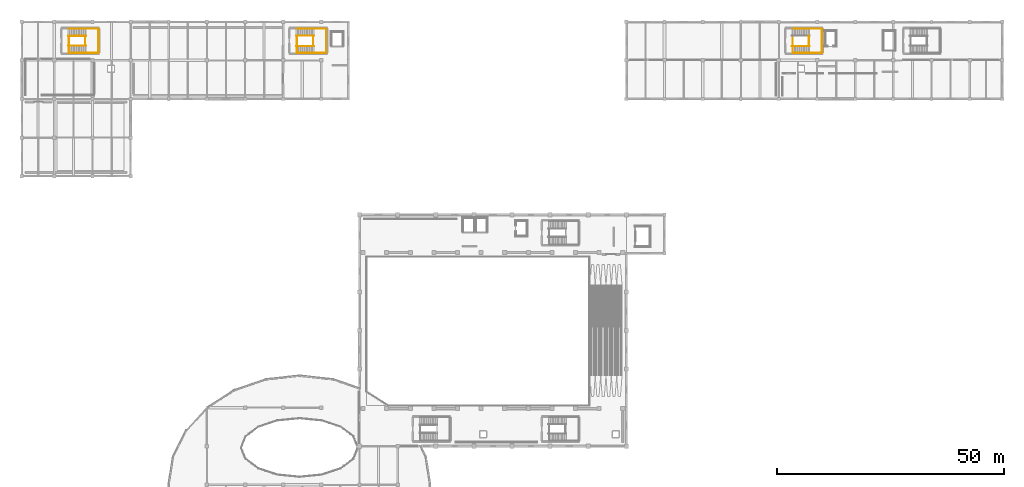
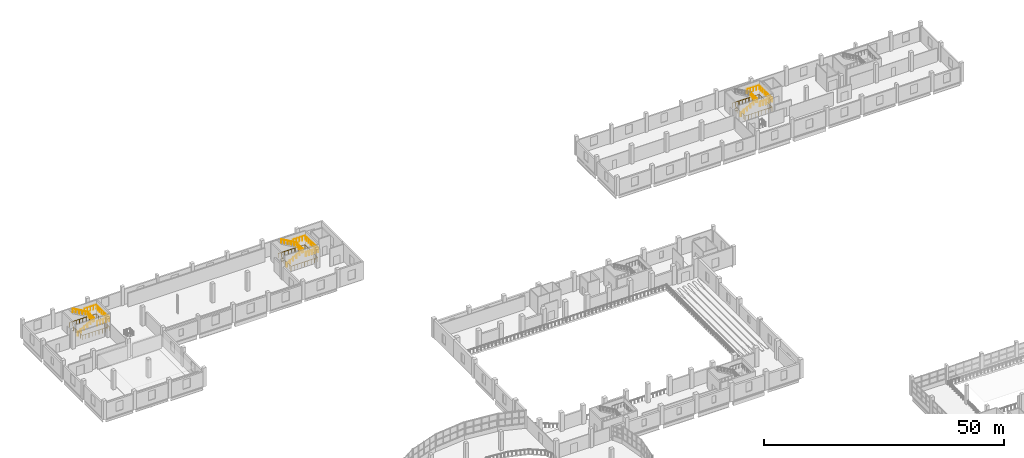
# One storey, part 76 of 77: 14 railings.
"""IFC4 building model written with IfcOpenShell, lengths in metres."""

from ifc_helpers import new_model, si_unit, direction, frame, origin, origin_2d, place, context, subcontext, project, spatial, circle, extrude, material, type_object, element, save


model = new_model("IFC4")

# Units and contexts
model_context = context("Model", 3, precision=1e-05, world=origin(), true_north=direction((0.0, 1.0)))
body_context = subcontext(model_context, "Body", "Model", "MODEL_VIEW")
ifc_project = project(units=[si_unit("LENGTHUNIT", "METRE"), si_unit("AREAUNIT", "SQUARE_METRE"), si_unit("VOLUMEUNIT", "CUBIC_METRE"), si_unit("PLANEANGLEUNIT", "RADIAN"), si_unit("MASSUNIT", "GRAM", prefix="KILO")], contexts=[model_context])

# Site, building, storey
site_placement = place(None, origin())
site = spatial("IfcSite", under=ifc_project, at=site_placement, CompositionType="ELEMENT")
building_placement = place(site_placement, origin())
building = spatial("IfcBuilding", under=site, at=building_placement, Name="Solvento Point Concert Hall", CompositionType="ELEMENT")
storey_placement = place(building_placement, frame((0.0, 0.0, 10.199951171875)))
storey = spatial("IfcBuildingStorey", under=building, at=storey_placement, Name="L02", CompositionType="ELEMENT", Elevation=10.199951171875)

# Railings
ifc_material_1 = material(Name="Brushed Stainless Steel Balustrade", Category="steel")
railing_type_1 = type_object("IfcRailingType", Name="StairHandrail_915", PredefinedType="HANDRAIL", material=ifc_material_1)
for number, where, name in (
    (1, (169.64990234375, 130.64990234375, 0.16015625), "Stair handrail HR-01 ST-01 L02 F1"),
    (2, (60.449951171875, 130.64990234375, 0.16015625), "Stair handrail HR-01 ST-04 L02 F1"),
):
    element("IfcRailing", number, at=place(storey_placement, frame(where)), inside=storey, type_object=railing_type_1, Name=name, PredefinedType="HANDRAIL", context=body_context, shape_type="SweptSolid", body=[
        extrude(circle(Radius=0.0224609375, at=origin_2d()), frame((0.0, 0.0, 0.892578125), z_axis=(0.86825312469, 0.0, 0.496121468458), x_axis=(0.0, 1.0, 0.0)), (0.0, 0.0, 1.0), 4.514892578125),
        extrude(circle(Radius=0.01904296875, at=origin_2d()), origin(), (0.0, 0.0, 1.0), 0.8701171875),
        extrude(circle(Radius=0.01904296875, at=origin_2d()), frame((0.783935546875, 0.0, 0.447998046875)), (0.0, 0.0, 1.0), 0.8701171875),
        extrude(circle(Radius=0.01904296875, at=origin_2d()), frame((1.568115234375, 0.0, 0.89599609375)), (0.0, 0.0, 1.0), 0.8701171875),
        extrude(circle(Radius=0.01904296875, at=origin_2d()), frame((2.35205078125, 0.0, 1.343994140625)), (0.0, 0.0, 1.0), 0.8701171875),
        extrude(circle(Radius=0.01904296875, at=origin_2d()), frame((3.13623046875, 0.0, 1.7919921875)), (0.0, 0.0, 1.0), 0.8701171875),
        extrude(circle(Radius=0.01904296875, at=origin_2d()), frame((3.920166015625, 0.0, 2.239990234375)), (0.0, 0.0, 1.0), 0.8701171875),
    ])
railing_1_placement = place(storey_placement, frame((64.3701171875, 132.949951171875, 2.56005859375)))
element("IfcRailing", 3, at=railing_1_placement, inside=storey, type_object=railing_type_1, Name="Stair handrail HR-01 ST-04 L02 F2", PredefinedType="HANDRAIL", context=body_context, shape_type="SweptSolid", body=[
    extrude(circle(Radius=0.0224609375, at=origin_2d()), frame((0.0, 0.0, 0.892578125), z_axis=(-0.86825312469, 0.0, 0.496121468458), x_axis=(0.0, -1.0, 0.0)), (0.0, 0.0, 1.0), 4.514892578125),
    extrude(circle(Radius=0.01904296875, at=origin_2d()), origin(), (0.0, 0.0, 1.0), 0.8701171875),
    extrude(circle(Radius=0.01904296875, at=origin_2d()), frame((-0.783935546875, 0.0, 0.447998046875)), (0.0, 0.0, 1.0), 0.8701171875),
    extrude(circle(Radius=0.01904296875, at=origin_2d()), frame((-1.568115234375, 0.0, 0.89599609375)), (0.0, 0.0, 1.0), 0.8701171875),
    extrude(circle(Radius=0.01904296875, at=origin_2d()), frame((-2.35205078125, 0.0, 1.343994140625)), (0.0, 0.0, 1.0), 0.8701171875),
    extrude(circle(Radius=0.01904296875, at=origin_2d()), frame((-3.13623046875, 0.0, 1.7919921875)), (0.0, 0.0, 1.0), 0.8701171875),
    extrude(circle(Radius=0.01904296875, at=origin_2d()), frame((-3.920166015625, 0.0, 2.239990234375)), (0.0, 0.0, 1.0), 0.8701171875),
])
railing_2_placement = place(storey_placement, frame((10.25, 130.72998046875, 0.16015625)))
element("IfcRailing", 4, at=railing_2_placement, inside=storey, type_object=railing_type_1, Name="Stair handrail HR-01 ST-05 L02 F1", PredefinedType="HANDRAIL", context=body_context, shape_type="SweptSolid", body=[
    extrude(circle(Radius=0.0224609375, at=origin_2d()), frame((0.0, 0.0, 0.892578125), z_axis=(0.868239814368, 0.0, 0.496144761885), x_axis=(0.0, 1.0, 0.0)), (0.0, 0.0, 1.0), 4.514892578125),
    extrude(circle(Radius=0.01904296875, at=origin_2d()), origin(), (0.0, 0.0, 1.0), 0.8701171875),
    extrude(circle(Radius=0.01904296875, at=origin_2d()), frame((0.783935546875, 0.0, 0.447998046875)), (0.0, 0.0, 1.0), 0.8701171875),
    extrude(circle(Radius=0.01904296875, at=origin_2d()), frame((1.56787109375, 0.0, 0.89599609375)), (0.0, 0.0, 1.0), 0.8701171875),
    extrude(circle(Radius=0.01904296875, at=origin_2d()), frame((2.35205078125, 0.0, 1.343994140625)), (0.0, 0.0, 1.0), 0.8701171875),
    extrude(circle(Radius=0.01904296875, at=origin_2d()), frame((3.135986328125, 0.0, 1.7919921875)), (0.0, 0.0, 1.0), 0.8701171875),
    extrude(circle(Radius=0.01904296875, at=origin_2d()), frame((3.919921875, 0.0, 2.239990234375)), (0.0, 0.0, 1.0), 0.8701171875),
])
railing_3_placement = place(storey_placement, frame((14.169921875, 132.8701171875, 2.56005859375)))
element("IfcRailing", 5, at=railing_3_placement, inside=storey, type_object=railing_type_1, Name="Stair handrail HR-01 ST-05 L02 F2", PredefinedType="HANDRAIL", context=body_context, shape_type="SweptSolid", body=[
    extrude(circle(Radius=0.0224609375, at=origin_2d()), frame((0.0, 0.0, 0.892578125), z_axis=(-0.868239814368, 0.0, 0.496144761885), x_axis=(0.0, -1.0, 0.0)), (0.0, 0.0, 1.0), 4.514892578125),
    extrude(circle(Radius=0.01904296875, at=origin_2d()), origin(), (0.0, 0.0, 1.0), 0.8701171875),
    extrude(circle(Radius=0.01904296875, at=origin_2d()), frame((-0.783935546875, 0.0, 0.447998046875)), (0.0, 0.0, 1.0), 0.8701171875),
    extrude(circle(Radius=0.01904296875, at=origin_2d()), frame((-1.56787109375, 0.0, 0.89599609375)), (0.0, 0.0, 1.0), 0.8701171875),
    extrude(circle(Radius=0.01904296875, at=origin_2d()), frame((-2.35205078125, 0.0, 1.343994140625)), (0.0, 0.0, 1.0), 0.8701171875),
    extrude(circle(Radius=0.01904296875, at=origin_2d()), frame((-3.135986328125, 0.0, 1.7919921875)), (0.0, 0.0, 1.0), 0.8701171875),
    extrude(circle(Radius=0.01904296875, at=origin_2d()), frame((-3.919921875, 0.0, 2.239990234375)), (0.0, 0.0, 1.0), 0.8701171875),
])
ifc_material_2 = material(Name="Brushed Stainless Steel Balustrade", Category="steel")
railing_type_2 = type_object("IfcRailingType", Name="StairWellGuard_1100", PredefinedType="BALUSTRADE", material=ifc_material_2)
railing_4_placement = place(storey_placement, frame((169.820068359375, 132.89990234375, 0.0)))
element("IfcRailing", 6, at=railing_4_placement, inside=storey, type_object=railing_type_2, Name="Stairwell guard GR-02 ST-01 L02", PredefinedType="BALUSTRADE", context=body_context, shape_type="SweptSolid", body=[
    extrude(circle(Radius=0.02392578125, at=origin_2d()), frame((0.0, 0.0, 1.09619140625), z_axis=(0.0, -1.0, 0.0), x_axis=(1.0, 0.0, 0.0)), (0.0, 0.0, 1.0), 3.77978515625),
    extrude(circle(Radius=0.02392578125, at=origin_2d()), frame((0.0, -3.77978515625, 1.09619140625), z_axis=(1.0, 0.0, 0.0), x_axis=(0.0, 1.0, 0.0)), (0.0, 0.0, 1.0), 6.4599609375),
    extrude(circle(Radius=0.02392578125, at=origin_2d()), frame((6.4599609375, -3.77978515625, 1.09619140625), z_axis=(0.0, 1.0, 0.0), x_axis=(-1.0, 0.0, 0.0)), (0.0, 0.0, 1.0), 5.35986328125),
    extrude(circle(Radius=0.02392578125, at=origin_2d()), frame((6.4599609375, 1.580078125, 1.09619140625), z_axis=(-1.0, 0.0, 0.0), x_axis=(0.0, -1.0, 0.0)), (0.0, 0.0, 1.0), 6.4599609375),
    extrude(circle(Radius=0.02392578125, at=origin_2d()), frame((0.0, 1.580078125, 1.09619140625), z_axis=(0.0, 1.0, 0.0), x_axis=(-1.0, 0.0, 0.0)), (0.0, 0.0, 1.0), 0.02001953125),
    extrude(circle(Radius=0.02099609375, at=origin_2d()), origin(), (0.0, 0.0, 1.0), 1.072021484375),
    extrude(circle(Radius=0.02099609375, at=origin_2d()), frame((0.0, -0.755859375, 0.0)), (0.0, 0.0, 1.0), 1.072021484375),
    extrude(circle(Radius=0.02099609375, at=origin_2d()), frame((0.0, -1.511962890625, 0.0)), (0.0, 0.0, 1.0), 1.072021484375),
    extrude(circle(Radius=0.02099609375, at=origin_2d()), frame((0.0, -2.267822265625, 0.0)), (0.0, 0.0, 1.0), 1.072021484375),
    extrude(circle(Radius=0.02099609375, at=origin_2d()), frame((0.0, -3.02392578125, 0.0)), (0.0, 0.0, 1.0), 1.072021484375),
    extrude(circle(Radius=0.02099609375, at=origin_2d()), frame((0.0, -3.77978515625, 0.0)), (0.0, 0.0, 1.0), 1.072021484375),
    extrude(circle(Radius=0.02099609375, at=origin_2d()), frame((0.8076171875, -3.77978515625, 0.0)), (0.0, 0.0, 1.0), 1.072021484375),
    extrude(circle(Radius=0.02099609375, at=origin_2d()), frame((1.614990234375, -3.77978515625, 0.0)), (0.0, 0.0, 1.0), 1.072021484375),
    extrude(circle(Radius=0.02099609375, at=origin_2d()), frame((2.42236328125, -3.77978515625, 0.0)), (0.0, 0.0, 1.0), 1.072021484375),
    extrude(circle(Radius=0.02099609375, at=origin_2d()), frame((3.22998046875, -3.77978515625, 0.0)), (0.0, 0.0, 1.0), 1.072021484375),
    extrude(circle(Radius=0.02099609375, at=origin_2d()), frame((4.03759765625, -3.77978515625, 0.0)), (0.0, 0.0, 1.0), 1.072021484375),
    extrude(circle(Radius=0.02099609375, at=origin_2d()), frame((4.844970703125, -3.77978515625, 0.0)), (0.0, 0.0, 1.0), 1.072021484375),
    extrude(circle(Radius=0.02099609375, at=origin_2d()), frame((5.65234375, -3.77978515625, 0.0)), (0.0, 0.0, 1.0), 1.072021484375),
    extrude(circle(Radius=0.02099609375, at=origin_2d()), frame((6.4599609375, -3.77978515625, 0.0)), (0.0, 0.0, 1.0), 1.072021484375),
    extrude(circle(Radius=0.02099609375, at=origin_2d()), frame((6.4599609375, -2.886474609375, 0.0)), (0.0, 0.0, 1.0), 1.072021484375),
    extrude(circle(Radius=0.02099609375, at=origin_2d()), frame((6.4599609375, -1.9931640625, 0.0)), (0.0, 0.0, 1.0), 1.072021484375),
    extrude(circle(Radius=0.02099609375, at=origin_2d()), frame((6.4599609375, -1.099853515625, 0.0)), (0.0, 0.0, 1.0), 1.072021484375),
    extrude(circle(Radius=0.02099609375, at=origin_2d()), frame((6.4599609375, -0.20654296875, 0.0)), (0.0, 0.0, 1.0), 1.072021484375),
    extrude(circle(Radius=0.02099609375, at=origin_2d()), frame((6.4599609375, 0.686767578125, 0.0)), (0.0, 0.0, 1.0), 1.072021484375),
    extrude(circle(Radius=0.02099609375, at=origin_2d()), frame((6.4599609375, 1.580078125, 0.0)), (0.0, 0.0, 1.0), 1.072021484375),
    extrude(circle(Radius=0.02099609375, at=origin_2d()), frame((5.65234375, 1.580078125, 0.0)), (0.0, 0.0, 1.0), 1.072021484375),
    extrude(circle(Radius=0.02099609375, at=origin_2d()), frame((4.844970703125, 1.580078125, 0.0)), (0.0, 0.0, 1.0), 1.072021484375),
    extrude(circle(Radius=0.02099609375, at=origin_2d()), frame((4.03759765625, 1.580078125, 0.0)), (0.0, 0.0, 1.0), 1.072021484375),
    extrude(circle(Radius=0.02099609375, at=origin_2d()), frame((3.22998046875, 1.580078125, 0.0)), (0.0, 0.0, 1.0), 1.072021484375),
    extrude(circle(Radius=0.02099609375, at=origin_2d()), frame((2.42236328125, 1.580078125, 0.0)), (0.0, 0.0, 1.0), 1.072021484375),
    extrude(circle(Radius=0.02099609375, at=origin_2d()), frame((1.614990234375, 1.580078125, 0.0)), (0.0, 0.0, 1.0), 1.072021484375),
    extrude(circle(Radius=0.02099609375, at=origin_2d()), frame((0.8076171875, 1.580078125, 0.0)), (0.0, 0.0, 1.0), 1.072021484375),
    extrude(circle(Radius=0.02099609375, at=origin_2d()), frame((0.0, 1.580078125, 0.0)), (0.0, 0.0, 1.0), 1.072021484375),
    extrude(circle(Radius=0.02099609375, at=origin_2d()), frame((0.0, 1.60009765625, 0.0)), (0.0, 0.0, 1.0), 1.072021484375),
])
railing_5_placement = place(storey_placement, frame((173.39990234375, 129.10009765625, 2.400146484375)))
element("IfcRailing", 7, at=railing_5_placement, inside=storey, type_object=railing_type_2, Name="Half-landing perimeter guard GR-02 ST-01 L02", PredefinedType="BALUSTRADE", context=body_context, shape_type="SweptSolid", body=[
    extrude(circle(Radius=0.02392578125, at=origin_2d()), frame((0.0, 0.0, 1.09619140625), z_axis=(0.999976175575, 0.006902773499, 0.0), x_axis=(-0.006902773499, 0.999976175575, 0.0)), (0.0, 0.0, 1.0), 2.900146484375),
    extrude(circle(Radius=0.02392578125, at=origin_2d()), frame((2.900146484375, 0.02001953125, 1.09619140625), z_axis=(0.0, 1.0, 0.0), x_axis=(-1.0, 0.0, 0.0)), (0.0, 0.0, 1.0), 5.35986328125),
    extrude(circle(Radius=0.02392578125, at=origin_2d()), frame((2.900146484375, 5.3798828125, 1.09619140625), z_axis=(-0.999976175575, 0.006902773499, 0.0), x_axis=(-0.006902773499, -0.999976175575, 0.0)), (0.0, 0.0, 1.0), 2.900146484375),
    extrude(circle(Radius=0.02099609375, at=origin_2d()), origin(), (0.0, 0.0, 1.0), 1.072021484375),
    extrude(circle(Radius=0.02099609375, at=origin_2d()), frame((0.72509765625, 0.0048828125, 0.0)), (0.0, 0.0, 1.0), 1.072021484375),
    extrude(circle(Radius=0.02099609375, at=origin_2d()), frame((1.4501953125, 0.010009765625, 0.0)), (0.0, 0.0, 1.0), 1.072021484375),
    extrude(circle(Radius=0.02099609375, at=origin_2d()), frame((2.175048828125, 0.01513671875, 0.0)), (0.0, 0.0, 1.0), 1.072021484375),
    extrude(circle(Radius=0.02099609375, at=origin_2d()), frame((2.900146484375, 0.02001953125, 0.0)), (0.0, 0.0, 1.0), 1.072021484375),
    extrude(circle(Radius=0.02099609375, at=origin_2d()), frame((2.900146484375, 0.78564453125, 0.0)), (0.0, 0.0, 1.0), 1.072021484375),
    extrude(circle(Radius=0.02099609375, at=origin_2d()), frame((2.900146484375, 1.551513671875, 0.0)), (0.0, 0.0, 1.0), 1.072021484375),
    extrude(circle(Radius=0.02099609375, at=origin_2d()), frame((2.900146484375, 2.317138671875, 0.0)), (0.0, 0.0, 1.0), 1.072021484375),
    extrude(circle(Radius=0.02099609375, at=origin_2d()), frame((2.900146484375, 3.082763671875, 0.0)), (0.0, 0.0, 1.0), 1.072021484375),
    extrude(circle(Radius=0.02099609375, at=origin_2d()), frame((2.900146484375, 3.848388671875, 0.0)), (0.0, 0.0, 1.0), 1.072021484375),
    extrude(circle(Radius=0.02099609375, at=origin_2d()), frame((2.900146484375, 4.6142578125, 0.0)), (0.0, 0.0, 1.0), 1.072021484375),
    extrude(circle(Radius=0.02099609375, at=origin_2d()), frame((2.900146484375, 5.3798828125, 0.0)), (0.0, 0.0, 1.0), 1.072021484375),
    extrude(circle(Radius=0.02099609375, at=origin_2d()), frame((2.175048828125, 5.384765625, 0.0)), (0.0, 0.0, 1.0), 1.072021484375),
    extrude(circle(Radius=0.02099609375, at=origin_2d()), frame((1.4501953125, 5.389892578125, 0.0)), (0.0, 0.0, 1.0), 1.072021484375),
    extrude(circle(Radius=0.02099609375, at=origin_2d()), frame((0.72509765625, 5.39501953125, 0.0)), (0.0, 0.0, 1.0), 1.072021484375),
    extrude(circle(Radius=0.02099609375, at=origin_2d()), frame((0.0, 5.39990234375, 0.0)), (0.0, 0.0, 1.0), 1.072021484375),
])
railing_6_placement = place(storey_placement, frame((173.39990234375, 130.699951171875, 2.400146484375)))
element("IfcRailing", 8, at=railing_6_placement, inside=storey, type_object=railing_type_2, Name="Half-landing slot guard GR-02 ST-01 L02", PredefinedType="BALUSTRADE", context=body_context, shape_type="SweptSolid", body=[
    extrude(circle(Radius=0.02392578125, at=origin_2d()), frame((0.0, 0.0, 1.09619140625), z_axis=(0.0, 1.0, 0.0), x_axis=(-1.0, 0.0, 0.0)), (0.0, 0.0, 1.0), 2.199951171875),
    extrude(circle(Radius=0.02099609375, at=origin_2d()), origin(), (0.0, 0.0, 1.0), 1.072021484375),
    extrude(circle(Radius=0.02099609375, at=origin_2d()), frame((0.0, 0.7333984375, 0.0)), (0.0, 0.0, 1.0), 1.072021484375),
    extrude(circle(Radius=0.02099609375, at=origin_2d()), frame((0.0, 1.466552734375, 0.0)), (0.0, 0.0, 1.0), 1.072021484375),
    extrude(circle(Radius=0.02099609375, at=origin_2d()), frame((0.0, 2.199951171875, 0.0)), (0.0, 0.0, 1.0), 1.072021484375),
])
railing_7_placement = place(storey_placement, frame((60.6201171875, 132.89990234375, 0.0)))
element("IfcRailing", 9, at=railing_7_placement, inside=storey, type_object=railing_type_2, Name="Stairwell guard GR-02 ST-04 L02", PredefinedType="BALUSTRADE", context=body_context, shape_type="SweptSolid", body=[
    extrude(circle(Radius=0.02392578125, at=origin_2d()), frame((0.0, 0.0, 1.09619140625), z_axis=(0.0, -1.0, 0.0), x_axis=(1.0, 0.0, 0.0)), (0.0, 0.0, 1.0), 3.77978515625),
    extrude(circle(Radius=0.02392578125, at=origin_2d()), frame((0.0, -3.77978515625, 1.09619140625), z_axis=(1.0, 0.0, 0.0), x_axis=(0.0, 1.0, 0.0)), (0.0, 0.0, 1.0), 6.4599609375),
    extrude(circle(Radius=0.02392578125, at=origin_2d()), frame((6.4599609375, -3.77978515625, 1.09619140625), z_axis=(0.0, 1.0, 0.0), x_axis=(-1.0, 0.0, 0.0)), (0.0, 0.0, 1.0), 5.35986328125),
    extrude(circle(Radius=0.02392578125, at=origin_2d()), frame((6.4599609375, 1.580078125, 1.09619140625), z_axis=(-1.0, 0.0, 0.0), x_axis=(0.0, -1.0, 0.0)), (0.0, 0.0, 1.0), 6.4599609375),
    extrude(circle(Radius=0.02392578125, at=origin_2d()), frame((0.0, 1.580078125, 1.09619140625), z_axis=(0.0, 1.0, 0.0), x_axis=(-1.0, 0.0, 0.0)), (0.0, 0.0, 1.0), 0.02001953125),
    extrude(circle(Radius=0.02099609375, at=origin_2d()), origin(), (0.0, 0.0, 1.0), 1.072021484375),
    extrude(circle(Radius=0.02099609375, at=origin_2d()), frame((0.0, -0.755859375, 0.0)), (0.0, 0.0, 1.0), 1.072021484375),
    extrude(circle(Radius=0.02099609375, at=origin_2d()), frame((0.0, -1.511962890625, 0.0)), (0.0, 0.0, 1.0), 1.072021484375),
    extrude(circle(Radius=0.02099609375, at=origin_2d()), frame((0.0, -2.267822265625, 0.0)), (0.0, 0.0, 1.0), 1.072021484375),
    extrude(circle(Radius=0.02099609375, at=origin_2d()), frame((0.0, -3.02392578125, 0.0)), (0.0, 0.0, 1.0), 1.072021484375),
    extrude(circle(Radius=0.02099609375, at=origin_2d()), frame((0.0, -3.77978515625, 0.0)), (0.0, 0.0, 1.0), 1.072021484375),
    extrude(circle(Radius=0.02099609375, at=origin_2d()), frame((0.8076171875, -3.77978515625, 0.0)), (0.0, 0.0, 1.0), 1.072021484375),
    extrude(circle(Radius=0.02099609375, at=origin_2d()), frame((1.614990234375, -3.77978515625, 0.0)), (0.0, 0.0, 1.0), 1.072021484375),
    extrude(circle(Radius=0.02099609375, at=origin_2d()), frame((2.42236328125, -3.77978515625, 0.0)), (0.0, 0.0, 1.0), 1.072021484375),
    extrude(circle(Radius=0.02099609375, at=origin_2d()), frame((3.22998046875, -3.77978515625, 0.0)), (0.0, 0.0, 1.0), 1.072021484375),
    extrude(circle(Radius=0.02099609375, at=origin_2d()), frame((4.03759765625, -3.77978515625, 0.0)), (0.0, 0.0, 1.0), 1.072021484375),
    extrude(circle(Radius=0.02099609375, at=origin_2d()), frame((4.844970703125, -3.77978515625, 0.0)), (0.0, 0.0, 1.0), 1.072021484375),
    extrude(circle(Radius=0.02099609375, at=origin_2d()), frame((5.65234375, -3.77978515625, 0.0)), (0.0, 0.0, 1.0), 1.072021484375),
    extrude(circle(Radius=0.02099609375, at=origin_2d()), frame((6.4599609375, -3.77978515625, 0.0)), (0.0, 0.0, 1.0), 1.072021484375),
    extrude(circle(Radius=0.02099609375, at=origin_2d()), frame((6.4599609375, -2.886474609375, 0.0)), (0.0, 0.0, 1.0), 1.072021484375),
    extrude(circle(Radius=0.02099609375, at=origin_2d()), frame((6.4599609375, -1.9931640625, 0.0)), (0.0, 0.0, 1.0), 1.072021484375),
    extrude(circle(Radius=0.02099609375, at=origin_2d()), frame((6.4599609375, -1.099853515625, 0.0)), (0.0, 0.0, 1.0), 1.072021484375),
    extrude(circle(Radius=0.02099609375, at=origin_2d()), frame((6.4599609375, -0.20654296875, 0.0)), (0.0, 0.0, 1.0), 1.072021484375),
    extrude(circle(Radius=0.02099609375, at=origin_2d()), frame((6.4599609375, 0.686767578125, 0.0)), (0.0, 0.0, 1.0), 1.072021484375),
    extrude(circle(Radius=0.02099609375, at=origin_2d()), frame((6.4599609375, 1.580078125, 0.0)), (0.0, 0.0, 1.0), 1.072021484375),
    extrude(circle(Radius=0.02099609375, at=origin_2d()), frame((5.65234375, 1.580078125, 0.0)), (0.0, 0.0, 1.0), 1.072021484375),
    extrude(circle(Radius=0.02099609375, at=origin_2d()), frame((4.844970703125, 1.580078125, 0.0)), (0.0, 0.0, 1.0), 1.072021484375),
    extrude(circle(Radius=0.02099609375, at=origin_2d()), frame((4.03759765625, 1.580078125, 0.0)), (0.0, 0.0, 1.0), 1.072021484375),
    extrude(circle(Radius=0.02099609375, at=origin_2d()), frame((3.22998046875, 1.580078125, 0.0)), (0.0, 0.0, 1.0), 1.072021484375),
    extrude(circle(Radius=0.02099609375, at=origin_2d()), frame((2.42236328125, 1.580078125, 0.0)), (0.0, 0.0, 1.0), 1.072021484375),
    extrude(circle(Radius=0.02099609375, at=origin_2d()), frame((1.614990234375, 1.580078125, 0.0)), (0.0, 0.0, 1.0), 1.072021484375),
    extrude(circle(Radius=0.02099609375, at=origin_2d()), frame((0.8076171875, 1.580078125, 0.0)), (0.0, 0.0, 1.0), 1.072021484375),
    extrude(circle(Radius=0.02099609375, at=origin_2d()), frame((0.0, 1.580078125, 0.0)), (0.0, 0.0, 1.0), 1.072021484375),
    extrude(circle(Radius=0.02099609375, at=origin_2d()), frame((0.0, 1.60009765625, 0.0)), (0.0, 0.0, 1.0), 1.072021484375),
])
railing_8_placement = place(storey_placement, frame((64.199951171875, 129.10009765625, 2.400146484375)))
element("IfcRailing", 10, at=railing_8_placement, inside=storey, type_object=railing_type_2, Name="Half-landing perimeter guard GR-02 ST-04 L02", PredefinedType="BALUSTRADE", context=body_context, shape_type="SweptSolid", body=[
    extrude(circle(Radius=0.02392578125, at=origin_2d()), frame((0.0, 0.0, 1.09619140625), z_axis=(0.999976175575, 0.006902773499, 0.0), x_axis=(-0.006902773499, 0.999976175575, 0.0)), (0.0, 0.0, 1.0), 2.900146484375),
    extrude(circle(Radius=0.02392578125, at=origin_2d()), frame((2.900146484375, 0.02001953125, 1.09619140625), z_axis=(0.0, 1.0, 0.0), x_axis=(-1.0, 0.0, 0.0)), (0.0, 0.0, 1.0), 5.35986328125),
    extrude(circle(Radius=0.02392578125, at=origin_2d()), frame((2.900146484375, 5.3798828125, 1.09619140625), z_axis=(-0.999976175575, 0.006902773499, 0.0), x_axis=(-0.006902773499, -0.999976175575, 0.0)), (0.0, 0.0, 1.0), 2.900146484375),
    extrude(circle(Radius=0.02099609375, at=origin_2d()), origin(), (0.0, 0.0, 1.0), 1.072021484375),
    extrude(circle(Radius=0.02099609375, at=origin_2d()), frame((0.72509765625, 0.0048828125, 0.0)), (0.0, 0.0, 1.0), 1.072021484375),
    extrude(circle(Radius=0.02099609375, at=origin_2d()), frame((1.4501953125, 0.010009765625, 0.0)), (0.0, 0.0, 1.0), 1.072021484375),
    extrude(circle(Radius=0.02099609375, at=origin_2d()), frame((2.175048828125, 0.01513671875, 0.0)), (0.0, 0.0, 1.0), 1.072021484375),
    extrude(circle(Radius=0.02099609375, at=origin_2d()), frame((2.900146484375, 0.02001953125, 0.0)), (0.0, 0.0, 1.0), 1.072021484375),
    extrude(circle(Radius=0.02099609375, at=origin_2d()), frame((2.900146484375, 0.78564453125, 0.0)), (0.0, 0.0, 1.0), 1.072021484375),
    extrude(circle(Radius=0.02099609375, at=origin_2d()), frame((2.900146484375, 1.551513671875, 0.0)), (0.0, 0.0, 1.0), 1.072021484375),
    extrude(circle(Radius=0.02099609375, at=origin_2d()), frame((2.900146484375, 2.317138671875, 0.0)), (0.0, 0.0, 1.0), 1.072021484375),
    extrude(circle(Radius=0.02099609375, at=origin_2d()), frame((2.900146484375, 3.082763671875, 0.0)), (0.0, 0.0, 1.0), 1.072021484375),
    extrude(circle(Radius=0.02099609375, at=origin_2d()), frame((2.900146484375, 3.848388671875, 0.0)), (0.0, 0.0, 1.0), 1.072021484375),
    extrude(circle(Radius=0.02099609375, at=origin_2d()), frame((2.900146484375, 4.6142578125, 0.0)), (0.0, 0.0, 1.0), 1.072021484375),
    extrude(circle(Radius=0.02099609375, at=origin_2d()), frame((2.900146484375, 5.3798828125, 0.0)), (0.0, 0.0, 1.0), 1.072021484375),
    extrude(circle(Radius=0.02099609375, at=origin_2d()), frame((2.175048828125, 5.384765625, 0.0)), (0.0, 0.0, 1.0), 1.072021484375),
    extrude(circle(Radius=0.02099609375, at=origin_2d()), frame((1.4501953125, 5.389892578125, 0.0)), (0.0, 0.0, 1.0), 1.072021484375),
    extrude(circle(Radius=0.02099609375, at=origin_2d()), frame((0.72509765625, 5.39501953125, 0.0)), (0.0, 0.0, 1.0), 1.072021484375),
    extrude(circle(Radius=0.02099609375, at=origin_2d()), frame((0.0, 5.39990234375, 0.0)), (0.0, 0.0, 1.0), 1.072021484375),
])
railing_9_placement = place(storey_placement, frame((64.199951171875, 130.699951171875, 2.400146484375)))
element("IfcRailing", 11, at=railing_9_placement, inside=storey, type_object=railing_type_2, Name="Half-landing slot guard GR-02 ST-04 L02", PredefinedType="BALUSTRADE", context=body_context, shape_type="SweptSolid", body=[
    extrude(circle(Radius=0.02392578125, at=origin_2d()), frame((0.0, 0.0, 1.09619140625), z_axis=(0.0, 1.0, 0.0), x_axis=(-1.0, 0.0, 0.0)), (0.0, 0.0, 1.0), 2.199951171875),
    extrude(circle(Radius=0.02099609375, at=origin_2d()), origin(), (0.0, 0.0, 1.0), 1.072021484375),
    extrude(circle(Radius=0.02099609375, at=origin_2d()), frame((0.0, 0.7333984375, 0.0)), (0.0, 0.0, 1.0), 1.072021484375),
    extrude(circle(Radius=0.02099609375, at=origin_2d()), frame((0.0, 1.466552734375, 0.0)), (0.0, 0.0, 1.0), 1.072021484375),
    extrude(circle(Radius=0.02099609375, at=origin_2d()), frame((0.0, 2.199951171875, 0.0)), (0.0, 0.0, 1.0), 1.072021484375),
])
railing_10_placement = place(storey_placement, frame((10.419921875, 132.820068359375, 0.0)))
element("IfcRailing", 12, at=railing_10_placement, inside=storey, type_object=railing_type_2, Name="Stairwell guard GR-02 ST-05 L02", PredefinedType="BALUSTRADE", context=body_context, shape_type="SweptSolid", body=[
    extrude(circle(Radius=0.02392578125, at=origin_2d()), frame((0.0, 0.0, 1.09619140625), z_axis=(0.0, -1.0, 0.0), x_axis=(1.0, 0.0, 0.0)), (0.0, 0.0, 1.0), 3.699951171875),
    extrude(circle(Radius=0.02392578125, at=origin_2d()), frame((0.0, -3.699951171875, 1.09619140625), z_axis=(1.0, 0.0, 0.0), x_axis=(0.0, 1.0, 0.0)), (0.0, 0.0, 1.0), 6.4599609375),
    extrude(circle(Radius=0.02392578125, at=origin_2d()), frame((6.4599609375, -3.699951171875, 1.09619140625), z_axis=(0.0, 1.0, 0.0), x_axis=(-1.0, 0.0, 0.0)), (0.0, 0.0, 1.0), 5.35986328125),
    extrude(circle(Radius=0.02392578125, at=origin_2d()), frame((6.4599609375, 1.659912109375, 1.09619140625), z_axis=(-1.0, 0.0, 0.0), x_axis=(0.0, -1.0, 0.0)), (0.0, 0.0, 1.0), 6.4599609375),
    extrude(circle(Radius=0.02392578125, at=origin_2d()), frame((0.0, 1.659912109375, 1.09619140625), z_axis=(0.0, 1.0, 0.0), x_axis=(-1.0, 0.0, 0.0)), (0.0, 0.0, 1.0), 0.02001953125),
    extrude(circle(Radius=0.02099609375, at=origin_2d()), origin(), (0.0, 0.0, 1.0), 1.072021484375),
    extrude(circle(Radius=0.02099609375, at=origin_2d()), frame((0.0, -0.739990234375, 0.0)), (0.0, 0.0, 1.0), 1.072021484375),
    extrude(circle(Radius=0.02099609375, at=origin_2d()), frame((0.0, -1.47998046875, 0.0)), (0.0, 0.0, 1.0), 1.072021484375),
    extrude(circle(Radius=0.02099609375, at=origin_2d()), frame((0.0, -2.219970703125, 0.0)), (0.0, 0.0, 1.0), 1.072021484375),
    extrude(circle(Radius=0.02099609375, at=origin_2d()), frame((0.0, -2.9599609375, 0.0)), (0.0, 0.0, 1.0), 1.072021484375),
    extrude(circle(Radius=0.02099609375, at=origin_2d()), frame((0.0, -3.699951171875, 0.0)), (0.0, 0.0, 1.0), 1.072021484375),
    extrude(circle(Radius=0.02099609375, at=origin_2d()), frame((0.8076171875, -3.699951171875, 0.0)), (0.0, 0.0, 1.0), 1.072021484375),
    extrude(circle(Radius=0.02099609375, at=origin_2d()), frame((1.614990234375, -3.699951171875, 0.0)), (0.0, 0.0, 1.0), 1.072021484375),
    extrude(circle(Radius=0.02099609375, at=origin_2d()), frame((2.42236328125, -3.699951171875, 0.0)), (0.0, 0.0, 1.0), 1.072021484375),
    extrude(circle(Radius=0.02099609375, at=origin_2d()), frame((3.22998046875, -3.699951171875, 0.0)), (0.0, 0.0, 1.0), 1.072021484375),
    extrude(circle(Radius=0.02099609375, at=origin_2d()), frame((4.03759765625, -3.699951171875, 0.0)), (0.0, 0.0, 1.0), 1.072021484375),
    extrude(circle(Radius=0.02099609375, at=origin_2d()), frame((4.844970703125, -3.699951171875, 0.0)), (0.0, 0.0, 1.0), 1.072021484375),
    extrude(circle(Radius=0.02099609375, at=origin_2d()), frame((5.65234375, -3.699951171875, 0.0)), (0.0, 0.0, 1.0), 1.072021484375),
    extrude(circle(Radius=0.02099609375, at=origin_2d()), frame((6.4599609375, -3.699951171875, 0.0)), (0.0, 0.0, 1.0), 1.072021484375),
    extrude(circle(Radius=0.02099609375, at=origin_2d()), frame((6.4599609375, -2.806640625, 0.0)), (0.0, 0.0, 1.0), 1.072021484375),
    extrude(circle(Radius=0.02099609375, at=origin_2d()), frame((6.4599609375, -1.913330078125, 0.0)), (0.0, 0.0, 1.0), 1.072021484375),
    extrude(circle(Radius=0.02099609375, at=origin_2d()), frame((6.4599609375, -1.02001953125, 0.0)), (0.0, 0.0, 1.0), 1.072021484375),
    extrude(circle(Radius=0.02099609375, at=origin_2d()), frame((6.4599609375, -0.126708984375, 0.0)), (0.0, 0.0, 1.0), 1.072021484375),
    extrude(circle(Radius=0.02099609375, at=origin_2d()), frame((6.4599609375, 0.7666015625, 0.0)), (0.0, 0.0, 1.0), 1.072021484375),
    extrude(circle(Radius=0.02099609375, at=origin_2d()), frame((6.4599609375, 1.659912109375, 0.0)), (0.0, 0.0, 1.0), 1.072021484375),
    extrude(circle(Radius=0.02099609375, at=origin_2d()), frame((5.65234375, 1.659912109375, 0.0)), (0.0, 0.0, 1.0), 1.072021484375),
    extrude(circle(Radius=0.02099609375, at=origin_2d()), frame((4.844970703125, 1.659912109375, 0.0)), (0.0, 0.0, 1.0), 1.072021484375),
    extrude(circle(Radius=0.02099609375, at=origin_2d()), frame((4.03759765625, 1.659912109375, 0.0)), (0.0, 0.0, 1.0), 1.072021484375),
    extrude(circle(Radius=0.02099609375, at=origin_2d()), frame((3.22998046875, 1.659912109375, 0.0)), (0.0, 0.0, 1.0), 1.072021484375),
    extrude(circle(Radius=0.02099609375, at=origin_2d()), frame((2.42236328125, 1.659912109375, 0.0)), (0.0, 0.0, 1.0), 1.072021484375),
    extrude(circle(Radius=0.02099609375, at=origin_2d()), frame((1.614990234375, 1.659912109375, 0.0)), (0.0, 0.0, 1.0), 1.072021484375),
    extrude(circle(Radius=0.02099609375, at=origin_2d()), frame((0.8076171875, 1.659912109375, 0.0)), (0.0, 0.0, 1.0), 1.072021484375),
    extrude(circle(Radius=0.02099609375, at=origin_2d()), frame((0.0, 1.659912109375, 0.0)), (0.0, 0.0, 1.0), 1.072021484375),
    extrude(circle(Radius=0.02099609375, at=origin_2d()), frame((0.0, 1.679931640625, 0.0)), (0.0, 0.0, 1.0), 1.072021484375),
])
railing_11_placement = place(storey_placement, frame((14.0, 129.10009765625, 2.400146484375)))
element("IfcRailing", 13, at=railing_11_placement, inside=storey, type_object=railing_type_2, Name="Half-landing perimeter guard GR-02 ST-05 L02", PredefinedType="BALUSTRADE", context=body_context, shape_type="SweptSolid", body=[
    extrude(circle(Radius=0.02392578125, at=origin_2d()), frame((0.0, 0.0, 1.09619140625), z_axis=(0.999976171564, 0.006903354611, 0.0), x_axis=(-0.006903354611, 0.999976171564, 0.0)), (0.0, 0.0, 1.0), 2.89990234375),
    extrude(circle(Radius=0.02392578125, at=origin_2d()), frame((2.89990234375, 0.02001953125, 1.09619140625), z_axis=(0.0, 1.0, 0.0), x_axis=(-1.0, 0.0, 0.0)), (0.0, 0.0, 1.0), 5.35986328125),
    extrude(circle(Radius=0.02392578125, at=origin_2d()), frame((2.89990234375, 5.3798828125, 1.09619140625), z_axis=(-0.999976171564, 0.006903354611, 0.0), x_axis=(-0.006903354611, -0.999976171564, 0.0)), (0.0, 0.0, 1.0), 2.89990234375),
    extrude(circle(Radius=0.02099609375, at=origin_2d()), origin(), (0.0, 0.0, 1.0), 1.072021484375),
    extrude(circle(Radius=0.02099609375, at=origin_2d()), frame((0.72509765625, 0.0048828125, 0.0)), (0.0, 0.0, 1.0), 1.072021484375),
    extrude(circle(Radius=0.02099609375, at=origin_2d()), frame((1.449951171875, 0.010009765625, 0.0)), (0.0, 0.0, 1.0), 1.072021484375),
    extrude(circle(Radius=0.02099609375, at=origin_2d()), frame((2.1748046875, 0.01513671875, 0.0)), (0.0, 0.0, 1.0), 1.072021484375),
    extrude(circle(Radius=0.02099609375, at=origin_2d()), frame((2.89990234375, 0.02001953125, 0.0)), (0.0, 0.0, 1.0), 1.072021484375),
    extrude(circle(Radius=0.02099609375, at=origin_2d()), frame((2.89990234375, 0.78564453125, 0.0)), (0.0, 0.0, 1.0), 1.072021484375),
    extrude(circle(Radius=0.02099609375, at=origin_2d()), frame((2.89990234375, 1.551513671875, 0.0)), (0.0, 0.0, 1.0), 1.072021484375),
    extrude(circle(Radius=0.02099609375, at=origin_2d()), frame((2.89990234375, 2.317138671875, 0.0)), (0.0, 0.0, 1.0), 1.072021484375),
    extrude(circle(Radius=0.02099609375, at=origin_2d()), frame((2.89990234375, 3.082763671875, 0.0)), (0.0, 0.0, 1.0), 1.072021484375),
    extrude(circle(Radius=0.02099609375, at=origin_2d()), frame((2.89990234375, 3.848388671875, 0.0)), (0.0, 0.0, 1.0), 1.072021484375),
    extrude(circle(Radius=0.02099609375, at=origin_2d()), frame((2.89990234375, 4.6142578125, 0.0)), (0.0, 0.0, 1.0), 1.072021484375),
    extrude(circle(Radius=0.02099609375, at=origin_2d()), frame((2.89990234375, 5.3798828125, 0.0)), (0.0, 0.0, 1.0), 1.072021484375),
    extrude(circle(Radius=0.02099609375, at=origin_2d()), frame((2.1748046875, 5.384765625, 0.0)), (0.0, 0.0, 1.0), 1.072021484375),
    extrude(circle(Radius=0.02099609375, at=origin_2d()), frame((1.449951171875, 5.389892578125, 0.0)), (0.0, 0.0, 1.0), 1.072021484375),
    extrude(circle(Radius=0.02099609375, at=origin_2d()), frame((0.72509765625, 5.39501953125, 0.0)), (0.0, 0.0, 1.0), 1.072021484375),
    extrude(circle(Radius=0.02099609375, at=origin_2d()), frame((0.0, 5.39990234375, 0.0)), (0.0, 0.0, 1.0), 1.072021484375),
])
railing_12_placement = place(storey_placement, frame((14.0, 130.780029296875, 2.400146484375)))
element("IfcRailing", 14, at=railing_12_placement, inside=storey, type_object=railing_type_2, Name="Half-landing slot guard GR-02 ST-05 L02", PredefinedType="BALUSTRADE", context=body_context, shape_type="SweptSolid", body=[
    extrude(circle(Radius=0.02392578125, at=origin_2d()), frame((0.0, 0.0, 1.09619140625), z_axis=(0.0, 1.0, 0.0), x_axis=(-1.0, 0.0, 0.0)), (0.0, 0.0, 1.0), 2.0400390625),
    extrude(circle(Radius=0.02099609375, at=origin_2d()), origin(), (0.0, 0.0, 1.0), 1.072021484375),
    extrude(circle(Radius=0.02099609375, at=origin_2d()), frame((0.0, 0.679931640625, 0.0)), (0.0, 0.0, 1.0), 1.072021484375),
    extrude(circle(Radius=0.02099609375, at=origin_2d()), frame((0.0, 1.360107421875, 0.0)), (0.0, 0.0, 1.0), 1.072021484375),
    extrude(circle(Radius=0.02099609375, at=origin_2d()), frame((0.0, 2.0400390625, 0.0)), (0.0, 0.0, 1.0), 1.072021484375),
])

save(model, "model.ifc")
